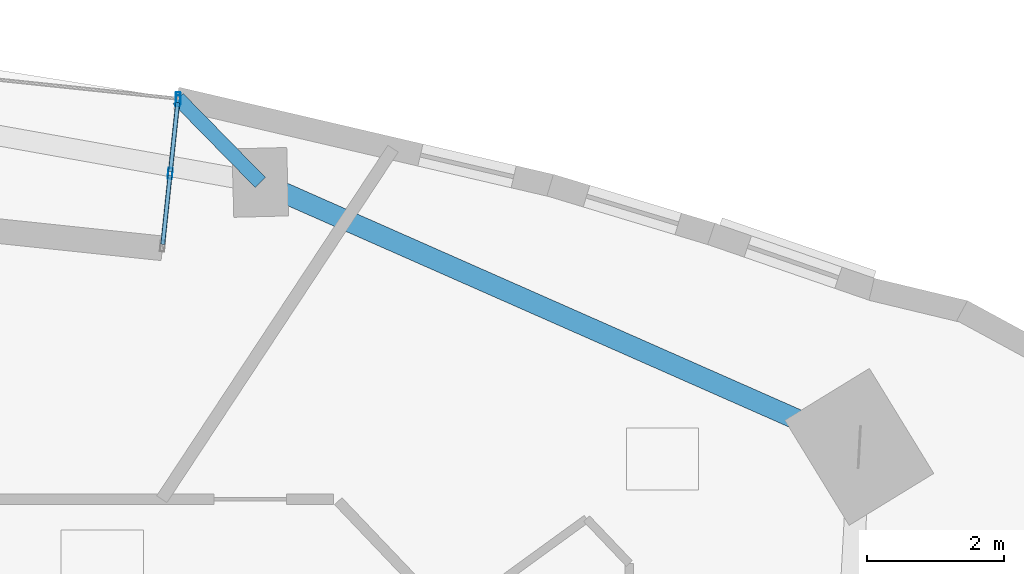
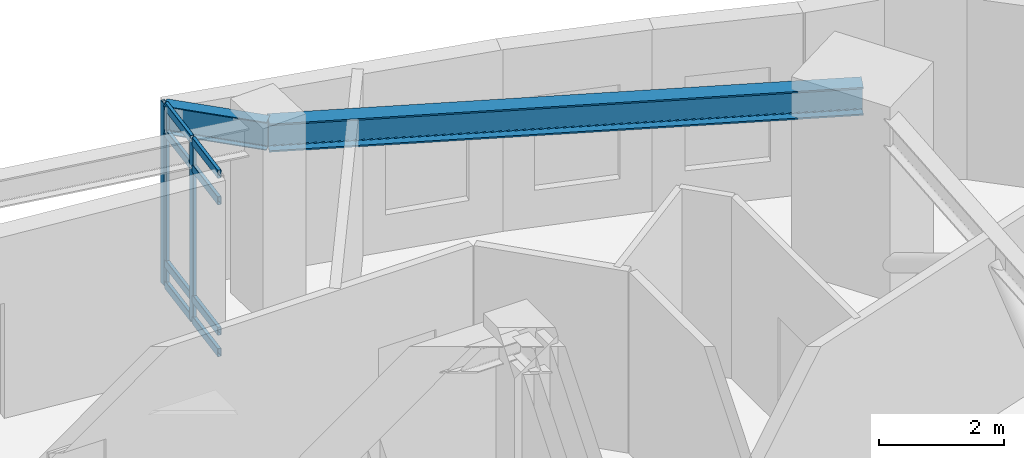
# One storey, part 3 of 12: 11 members, 2 beams, 1 element without a shape of its own.
"""IFC4 building model written with IfcOpenShell, lengths in metres."""

from ifc_helpers import new_model, si_unit, direction, frame, origin, origin_2d, place, context, subcontext, project, spatial, hollow_rectangle, i_section, extrude, material, layer, layer_set, material_profile, profile_set, type_object, element, aggregate, save


model = new_model("IFC4")

# Units and contexts
model_context = context("Model", 3, precision=1e-05, world=origin(), true_north=direction((0.0, 1.0)))
body_context = subcontext(model_context, "Body", "Model", "MODEL_VIEW")
ifc_project = project(units=[si_unit("LENGTHUNIT", "METRE"), si_unit("AREAUNIT", "SQUARE_METRE"), si_unit("VOLUMEUNIT", "CUBIC_METRE"), si_unit("PLANEANGLEUNIT", "RADIAN"), si_unit("MASSUNIT", "GRAM", prefix="KILO")], contexts=[model_context])

# Site, building, storey
site_placement = place(None, origin())
site = spatial("IfcSite", under=ifc_project, at=site_placement, CompositionType="ELEMENT")
building_placement = place(site_placement, origin())
building = spatial("IfcBuilding", under=site, at=building_placement, Name="Ndelora Gate Hotel", CompositionType="ELEMENT")
storey_placement = place(building_placement, frame((0.0, 0.0, 190.35009765625)))
storey = spatial("IfcBuildingStorey", under=building, at=storey_placement, Name="L47", CompositionType="ELEMENT", Elevation=190.35009765625)

# Beams
ifc_material_1 = material(Name="Steel S355", Category="steel")
ifc_material_profile_1 = material_profile(ifc_material_1, i_section(OverallWidth=0.2099609375, OverallDepth=0.550048828125, WebThickness=0.010986328125, FlangeThickness=0.01708984375, FilletRadius=0.02392578125, at=origin_2d()), Name="IPE 550")
ifc_profile_set_1 = profile_set([ifc_material_profile_1], Name="Steel S355")
beam_type_1 = type_object("IfcBeamType", Name="BM-RAD-550", PredefinedType="BEAM", material=ifc_profile_set_1)
beam_1_placement = place(storey_placement, frame((7.50830078125, 13.828369140625, 3.27490234375), z_axis=(-0.69995182335, 0.71419006223, 0.0), x_axis=(-0.71419006223, -0.69995182335, 0.0)))
element("IfcBeam", 1, at=beam_1_placement, inside=storey, type_object=beam_type_1, Name="L47 Sky-Garden Loggia Column Bracket 1", PredefinedType="BEAM", context=body_context, shape_type="SweptSolid", body=[
    extrude(i_section(OverallWidth=0.2099609375, OverallDepth=0.550048828125, WebThickness=0.010986328125, FlangeThickness=0.01708984375, FilletRadius=0.02392578125, at=origin_2d()), origin(), (0.0, 0.0, 1.0), 1.714599609375),
])
ifc_material_profile_2 = material_profile(ifc_material_1, i_section(OverallWidth=0.300048828125, OverallDepth=0.550048828125, WebThickness=0.014892578125, FlangeThickness=0.029052734375, FilletRadius=0.027099609375, at=origin_2d()), Name="HEB 550")
ifc_profile_set_2 = profile_set([ifc_material_profile_2], Name="Steel S355")
beam_type_2 = type_object("IfcBeamType", Name="BM-RING-550", PredefinedType="SPANDREL", material=ifc_profile_set_2)
beam_2_placement = place(storey_placement, frame((16.26025390625, 9.96435546875, 3.27490234375), z_axis=(-0.914807449647, 0.403890245078, 0.0), x_axis=(-0.403890245078, -0.914807449647, 0.0)))
element("IfcBeam", 2, at=beam_2_placement, inside=storey, type_object=beam_type_2, Name="L47 Perimeter Spandrel Girder 9", PredefinedType="SPANDREL", context=body_context, shape_type="SweptSolid", body=[
    extrude(i_section(OverallWidth=0.300048828125, OverallDepth=0.550048828125, WebThickness=0.014892578125, FlangeThickness=0.029052734375, FilletRadius=0.027099609375, at=origin_2d()), origin(), (0.0, 0.0, 1.0), 9.56689453125),
])

# Curtain wall, members
ifc_material_2 = material(Name="Bronze Anodised Unitised Aluminium and Low-E Glass", Category="aluminium")
ifc_layer = layer(ifc_material_2, 0.199951171875)
ifc_layer_set = layer_set([ifc_layer], Name="Bronze Anodised Unitised Aluminium and Low-E Glass")
curtain_wall_type = type_object("IfcCurtainWallType", Name="CW-SYS-3", PredefinedType="NOTDEFINED", material=ifc_layer_set)
curtain_wall_placement = place(storey_placement, origin())
curtain_wall = element("IfcCurtainWall", 3, at=curtain_wall_placement, inside=storey, type_object=curtain_wall_type, Name="L47 Sky-Garden Loggia Side Curtain Wall CW3-1", PredefinedType="NOTDEFINED")
ifc_material_3 = material(Name="Bronze Anodised Aluminium 6063-T6", Category="aluminium")
ifc_material_profile_3 = material_profile(ifc_material_3, hollow_rectangle(XDim=0.06494140625, YDim=0.159912109375, WallThickness=0.00390625, InnerFilletRadius=0.00390625, OuterFilletRadius=0.008056640625, at=origin_2d()), Name="ALU 160x65x4")
ifc_profile_set_3 = profile_set([ifc_material_profile_3], Name="Bronze Anodised Aluminium 6063-T6")
member_type_1 = type_object("IfcMemberType", Name="MB-CW-MUL150", PredefinedType="MULLION", material=ifc_profile_set_3)
member_1_placement = place(storey_placement, frame((6.193115234375, 13.958984375, -0.004150390625), z_axis=(0.0, 0.0, 1.0), x_axis=(-0.994525111167, 0.104497862459, 0.0)))
member_1 = element("IfcMember", 4, at=member_1_placement, type_object=member_type_1, Name="CW3 mullion 2", PredefinedType="MULLION", context=body_context, shape_type="SweptSolid", body=[
    extrude(hollow_rectangle(XDim=0.06494140625, YDim=0.159912109375, WallThickness=0.00390625, InnerFilletRadius=0.00390625, OuterFilletRadius=0.008056640625, at=origin_2d()), origin(), (0.0, 0.0, 1.0), 3.55810546875),
])
member_2_placement = place(storey_placement, frame((6.3046875, 15.020751953125, -0.004150390625), z_axis=(0.0, 0.0, 1.0), x_axis=(-0.994525111167, 0.104497862459, 0.0)))
member_2 = element("IfcMember", 5, at=member_2_placement, type_object=member_type_1, Name="CW3 mullion 3", PredefinedType="MULLION", context=body_context, shape_type="SweptSolid", body=[
    extrude(hollow_rectangle(XDim=0.06494140625, YDim=0.159912109375, WallThickness=0.00390625, InnerFilletRadius=0.00390625, OuterFilletRadius=0.008056640625, at=origin_2d()), origin(), (0.0, 0.0, 1.0), 3.55810546875),
])
ifc_material_profile_4 = material_profile(ifc_material_3, hollow_rectangle(XDim=0.070068359375, YDim=0.179931640625, WallThickness=0.0048828125, InnerFilletRadius=0.0048828125, OuterFilletRadius=0.010009765625, at=origin_2d()), Name="ALU 180x70x5")
ifc_profile_set_4 = profile_set([ifc_material_profile_4], Name="Bronze Anodised Aluminium 6063-T6")
member_type_2 = type_object("IfcMemberType", Name="MB-CW-MUL180", PredefinedType="MULLION", material=ifc_profile_set_4)
member_3_placement = place(storey_placement, frame((6.30810546875, 15.052978515625, 0.0), z_axis=(0.0, 0.0, 1.0), x_axis=(1.0, 0.0, 0.0)))
member_3 = element("IfcMember", 6, at=member_3_placement, type_object=member_type_2, Name="L47 Sky-Garden Loggia Corner Mullion Post 1", PredefinedType="MULLION", context=body_context, shape_type="SweptSolid", body=[
    extrude(hollow_rectangle(XDim=0.070068359375, YDim=0.179931640625, WallThickness=0.0048828125, InnerFilletRadius=0.0048828125, OuterFilletRadius=0.010009765625, at=origin_2d()), origin(), (0.0, 0.0, 1.0), 3.5498046875),
])
ifc_material_profile_5 = material_profile(ifc_material_3, hollow_rectangle(XDim=0.06494140625, YDim=0.159912109375, WallThickness=0.00390625, InnerFilletRadius=0.00390625, OuterFilletRadius=0.008056640625, at=origin_2d()), Name="ALU 160x65x4")
ifc_profile_set_5 = profile_set([ifc_material_profile_5], Name="Bronze Anodised Aluminium 6063-T6")
member_type_3 = type_object("IfcMemberType", Name="MB-CW-TRN150", PredefinedType="USERDEFINED", material=ifc_profile_set_5)
member_4_placement = place(storey_placement, frame((6.084228515625, 12.923583984375, 0.032470703125), z_axis=(0.104434260277, 0.994531791991, 0.0), x_axis=(-0.994531791991, 0.104434260277, 0.0)))
member_4 = element("IfcMember", 7, at=member_4_placement, type_object=member_type_3, Name="CW3 transom 1.1", ObjectType="TRANSOM", PredefinedType="USERDEFINED", context=body_context, shape_type="SweptSolid", body=[
    extrude(hollow_rectangle(XDim=0.06494140625, YDim=0.159912109375, WallThickness=0.00390625, InnerFilletRadius=0.00390625, OuterFilletRadius=0.008056640625, at=origin_2d()), origin(), (0.0, 0.0, 1.0), 1.0146484375),
])
member_5_placement = place(storey_placement, frame((6.084228515625, 12.923583984375, 0.449951171875), z_axis=(0.104434260277, 0.994531791991, 0.0), x_axis=(-0.994531791991, 0.104434260277, 0.0)))
member_5 = element("IfcMember", 8, at=member_5_placement, type_object=member_type_3, Name="CW3 transom 1.2", ObjectType="TRANSOM", PredefinedType="USERDEFINED", context=body_context, shape_type="SweptSolid", body=[
    extrude(hollow_rectangle(XDim=0.06494140625, YDim=0.159912109375, WallThickness=0.00390625, InnerFilletRadius=0.00390625, OuterFilletRadius=0.008056640625, at=origin_2d()), origin(), (0.0, 0.0, 1.0), 1.0146484375),
])
member_6_placement = place(storey_placement, frame((6.084228515625, 12.923583984375, 3.0), z_axis=(0.104434260277, 0.994531791991, 0.0), x_axis=(-0.994531791991, 0.104434260277, 0.0)))
member_6 = element("IfcMember", 9, at=member_6_placement, type_object=member_type_3, Name="CW3 transom 1.3", ObjectType="TRANSOM", PredefinedType="USERDEFINED", context=body_context, shape_type="SweptSolid", body=[
    extrude(hollow_rectangle(XDim=0.06494140625, YDim=0.159912109375, WallThickness=0.00390625, InnerFilletRadius=0.00390625, OuterFilletRadius=0.008056640625, at=origin_2d()), origin(), (0.0, 0.0, 1.0), 1.0146484375),
])
member_7_placement = place(storey_placement, frame((6.084228515625, 12.923583984375, 3.517333984375), z_axis=(0.104434260277, 0.994531791991, 0.0), x_axis=(-0.994531791991, 0.104434260277, 0.0)))
member_7 = element("IfcMember", 10, at=member_7_placement, type_object=member_type_3, Name="CW3 transom 1.4", ObjectType="TRANSOM", PredefinedType="USERDEFINED", context=body_context, shape_type="SweptSolid", body=[
    extrude(hollow_rectangle(XDim=0.06494140625, YDim=0.159912109375, WallThickness=0.00390625, InnerFilletRadius=0.00390625, OuterFilletRadius=0.008056640625, at=origin_2d()), origin(), (0.0, 0.0, 1.0), 1.0146484375),
])
member_8_placement = place(storey_placement, frame((6.19580078125, 13.9853515625, 0.032470703125), z_axis=(0.104434260277, 0.994531791991, 0.0), x_axis=(-0.994531791991, 0.104434260277, 0.0)))
member_8 = element("IfcMember", 11, at=member_8_placement, type_object=member_type_3, Name="CW3 transom 2.1", ObjectType="TRANSOM", PredefinedType="USERDEFINED", context=body_context, shape_type="SweptSolid", body=[
    extrude(hollow_rectangle(XDim=0.06494140625, YDim=0.159912109375, WallThickness=0.00390625, InnerFilletRadius=0.00390625, OuterFilletRadius=0.008056640625, at=origin_2d()), origin(), (0.0, 0.0, 1.0), 1.0146484375),
])
member_9_placement = place(storey_placement, frame((6.19580078125, 13.9853515625, 0.449951171875), z_axis=(0.104434260277, 0.994531791991, 0.0), x_axis=(-0.994531791991, 0.104434260277, 0.0)))
member_9 = element("IfcMember", 12, at=member_9_placement, type_object=member_type_3, Name="CW3 transom 2.2", ObjectType="TRANSOM", PredefinedType="USERDEFINED", context=body_context, shape_type="SweptSolid", body=[
    extrude(hollow_rectangle(XDim=0.06494140625, YDim=0.159912109375, WallThickness=0.00390625, InnerFilletRadius=0.00390625, OuterFilletRadius=0.008056640625, at=origin_2d()), origin(), (0.0, 0.0, 1.0), 1.0146484375),
])
member_10_placement = place(storey_placement, frame((6.19580078125, 13.9853515625, 3.0), z_axis=(0.104434260277, 0.994531791991, 0.0), x_axis=(-0.994531791991, 0.104434260277, 0.0)))
member_10 = element("IfcMember", 13, at=member_10_placement, type_object=member_type_3, Name="CW3 transom 2.3", ObjectType="TRANSOM", PredefinedType="USERDEFINED", context=body_context, shape_type="SweptSolid", body=[
    extrude(hollow_rectangle(XDim=0.06494140625, YDim=0.159912109375, WallThickness=0.00390625, InnerFilletRadius=0.00390625, OuterFilletRadius=0.008056640625, at=origin_2d()), origin(), (0.0, 0.0, 1.0), 1.0146484375),
])
member_11_placement = place(storey_placement, frame((6.19580078125, 13.9853515625, 3.517333984375), z_axis=(0.104434260277, 0.994531791991, 0.0), x_axis=(-0.994531791991, 0.104434260277, 0.0)))
member_11 = element("IfcMember", 14, at=member_11_placement, type_object=member_type_3, Name="CW3 transom 2.4", ObjectType="TRANSOM", PredefinedType="USERDEFINED", context=body_context, shape_type="SweptSolid", body=[
    extrude(hollow_rectangle(XDim=0.06494140625, YDim=0.159912109375, WallThickness=0.00390625, InnerFilletRadius=0.00390625, OuterFilletRadius=0.008056640625, at=origin_2d()), origin(), (0.0, 0.0, 1.0), 1.0146484375),
])
aggregate(curtain_wall, [member_1, member_2, member_4, member_5, member_6, member_7, member_8, member_9, member_10, member_11, member_3])

save(model, "model.ifc")
